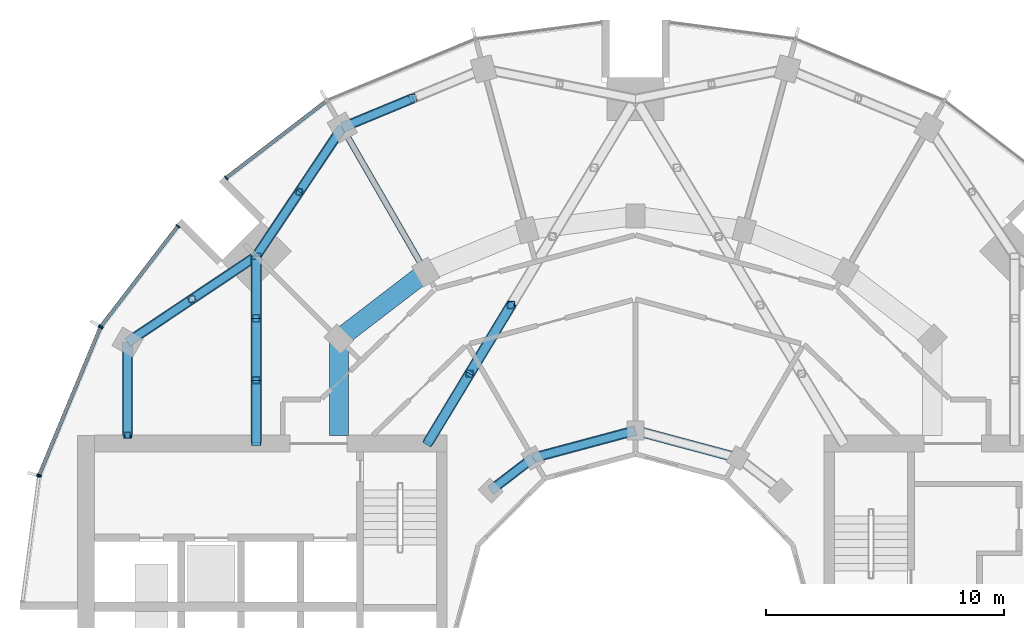
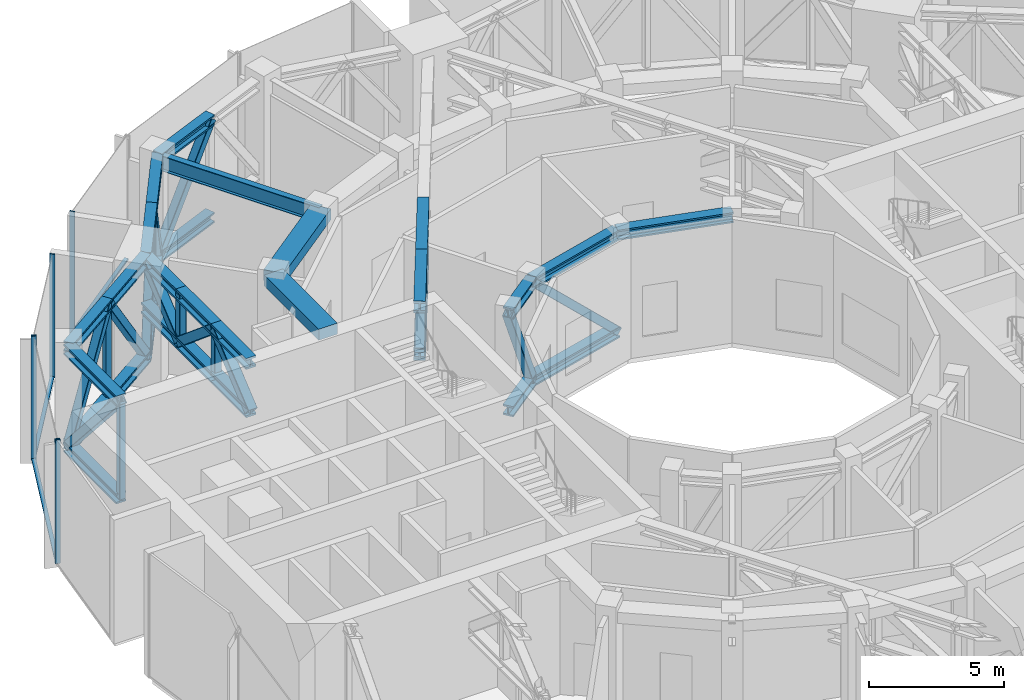
# One storey, part 7 of 18: 56 members, 3 beams, 4 elements without a shape of their own.
"""IFC4 building model written with IfcOpenShell, lengths in metres."""

import ifcopenshell
import ifcopenshell.guid

model = None  # the IFC model being written
_history = None  # IfcOwnerHistory: only IFC2X3 demands one
_inside = {}  # id of a spatial element -> (the spatial element, [elements in it])
_under = {}  # id of a project, library or spatial element -> (it, [spatial elements below it])
_declared = {}  # id of a project -> (the project, [libraries it declares])
_typed = {}  # id of a type object -> (the type object, [elements of that type])
_made_of = {}  # id of a material, layer set ... -> (it, [elements and type objects made of it])


def new_model(schema):
    """Start an empty IFC model of exactly this schema.

    Asked for "IFC4X3", IfcOpenShell would pick the latest addendum, in which some entities
    have other attributes; the version numbers below select the first issue.
    IFC2X3 requires an IfcOwnerHistory on every rooted entity: one is made here for all.
    """
    global model, _history
    if schema == "IFC4X3":
        model = ifcopenshell.file(schema_version=(4, 3, 0, 0))
    else:
        model = ifcopenshell.file(schema=schema)
    _inside.clear()
    _under.clear()
    _declared.clear()
    _typed.clear()
    _made_of.clear()
    _history = None
    if model.schema == "IFC2X3":
        org = make("IfcOrganization", Name="unknown")
        user = make(
            "IfcPersonAndOrganization",
            ThePerson=make("IfcPerson", FamilyName="unknown"),
            TheOrganization=org,
        )
        app = make(
            "IfcApplication",
            ApplicationDeveloper=org,
            Version="unknown",
            ApplicationFullName="unknown",
            ApplicationIdentifier="unknown",
        )
        _history = make(
            "IfcOwnerHistory",
            OwningUser=user,
            OwningApplication=app,
            ChangeAction="ADDED",
            CreationDate=0,
        )
    return model


def make(cls, **values):
    """One entity of the class cls with the attributes given. An attribute that is None is left unset."""
    return model.create_entity(
        cls, **{name: value for name, value in values.items() if value is not None}
    )


def rooted(cls, **values):
    """An entity with a GlobalId (a new one), such as an element, a storey or a relation."""
    return make(cls, GlobalId=ifcopenshell.guid.new(), OwnerHistory=_history, **values)


def si_unit(unit_type, name, prefix=None):
    """IfcSIUnit, for example si_unit("LENGTHUNIT", "METRE", prefix="MILLI")."""
    return make("IfcSIUnit", UnitType=unit_type, Prefix=prefix, Name=name)


def assignment(units):
    """IfcUnitAssignment: the units of a project."""
    return None if units is None else make("IfcUnitAssignment", Units=units)


def point(xyz):
    """IfcCartesianPoint."""
    return None if xyz is None else make("IfcCartesianPoint", Coordinates=xyz)


def direction(xyz):
    """IfcDirection."""
    return None if xyz is None else make("IfcDirection", DirectionRatios=xyz)


def frame(location, z_axis=None, x_axis=None):
    """IfcAxis2Placement3D, a coordinate frame: its origin and axes. An axis left out is left unset."""
    return make(
        "IfcAxis2Placement3D",
        Location=point(location),
        Axis=direction(z_axis),
        RefDirection=direction(x_axis),
    )


def frame_2d(location, x_axis=None):
    """IfcAxis2Placement2D, a coordinate frame in the plane: its origin and x axis."""
    return make(
        "IfcAxis2Placement2D", Location=point(location), RefDirection=direction(x_axis)
    )


def origin():
    """The frame at (0, 0, 0) with its axes left unset."""
    return frame((0.0, 0.0, 0.0))


def origin_2d():
    """The frame at (0, 0) in the plane with its x axis left unset."""
    return frame_2d((0.0, 0.0))


def place(relative_to, where):
    """IfcLocalPlacement: puts the frame where relative to a parent placement (None: the world)."""
    return make(
        "IfcLocalPlacement", PlacementRelTo=relative_to, RelativePlacement=where
    )


def context(
    kind, dimensions, precision=None, world=None, true_north=None, identifier=None
):
    """IfcGeometricRepresentationContext, for example the 3D "Model" context."""
    return make(
        "IfcGeometricRepresentationContext",
        ContextIdentifier=identifier,
        ContextType=kind,
        CoordinateSpaceDimension=dimensions,
        Precision=precision,
        WorldCoordinateSystem=world,
        TrueNorth=true_north,
    )


def subcontext(parent, identifier, kind, view, scale=None):
    """IfcGeometricRepresentationSubContext, for example "Body" below "Model"."""
    return make(
        "IfcGeometricRepresentationSubContext",
        ContextIdentifier=identifier,
        ContextType=kind,
        ParentContext=parent,
        TargetScale=scale,
        TargetView=view,
    )


def project(units=None, contexts=None):
    """IfcProject with its units and contexts."""
    return rooted(
        "IfcProject",
        Name="project",
        RepresentationContexts=contexts,
        UnitsInContext=assignment(units),
    )


def spatial(cls, under=None, at=None, **own):
    """A site, building, storey or space (cls), placed at a placement, below another one or the project."""
    s = rooted(cls, ObjectPlacement=at, **own)
    if under is not None:
        _under.setdefault(under.id(), (under, []))[1].append(s)
    return s


def profile(cls, at=None, kind="AREA", **sizes):
    """A parametric profile (cls). Its sizes go by their IFC names, for example OverallWidth=200.0."""
    return make(cls, ProfileType=kind, Position=at, **sizes)


def rectangle(**sizes):
    """IfcRectangleProfileDef."""
    return profile("IfcRectangleProfileDef", **sizes)


def hollow_rectangle(**sizes):
    """IfcRectangleHollowProfileDef."""
    return profile("IfcRectangleHollowProfileDef", **sizes)


def i_section(**sizes):
    """IfcIShapeProfileDef."""
    return profile("IfcIShapeProfileDef", **sizes)


def extrude(swept, where, along, depth):
    """IfcExtrudedAreaSolid: the profile swept, set in the frame where, extruded along a direction by depth."""
    return make(
        "IfcExtrudedAreaSolid",
        SweptArea=swept,
        Position=where,
        ExtrudedDirection=direction(along),
        Depth=depth,
    )


def shape(context_of_items, identifier, shape_type, items):
    """IfcShapeRepresentation: the items that make up one representation, for example the "Body"."""
    return make(
        "IfcShapeRepresentation",
        ContextOfItems=context_of_items,
        RepresentationIdentifier=identifier,
        RepresentationType=shape_type,
        Items=items,
    )


def material(Name=None, Category=None):
    """IfcMaterial."""
    return make("IfcMaterial", Name=Name, Category=Category)


def layer(
    of_material, thickness, ventilated=None, Name=None, Category=None, Priority=None
):
    """IfcMaterialLayer: one layer of a wall or slab, of a material (None: an air gap)."""
    return make(
        "IfcMaterialLayer",
        Material=of_material,
        LayerThickness=thickness,
        IsVentilated=ventilated,
        Name=Name,
        Category=Category,
        Priority=Priority,
    )


def layer_set(layers, Name=None):
    """IfcMaterialLayerSet."""
    return make("IfcMaterialLayerSet", MaterialLayers=layers, LayerSetName=Name)


def material_profile(
    of_material, cross_section, Name=None, Category=None, Priority=None
):
    """IfcMaterialProfile: a cross section and its material."""
    return make(
        "IfcMaterialProfile",
        Name=Name,
        Material=of_material,
        Profile=cross_section,
        Priority=Priority,
        Category=Category,
    )


def profile_set(profiles, Name=None, composite=None):
    """IfcMaterialProfileSet."""
    return make(
        "IfcMaterialProfileSet",
        Name=Name,
        MaterialProfiles=profiles,
        CompositeProfile=composite,
    )


def made_of(thing, what):
    """Note that an element or type object is made of a material, layer set ...; save() writes the relation."""
    if what is not None:
        _made_of.setdefault(what.id(), (what, []))[1].append(thing)
    return thing


def type_object(cls, material=None, **own):
    """A type object (cls), such as IfcWallType, which elements share."""
    return made_of(rooted(cls, **own), material)


def element(
    cls,
    number,
    at=None,
    inside=None,
    cuts=None,
    type_object=None,
    material=None,
    context=None,
    identifier="Body",
    shape_type=None,
    held_by="IfcProductDefinitionShape",
    body=None,
    shapes=None,
    **own,
):
    """One element of the class cls, such as IfcWall. Its Tag is "e" and its number.

    at: its placement. inside: the storey or other place that contains it. cuts: it is an
    opening in that element (IfcRelVoidsElement). A single representation is given by context,
    identifier, shape_type and body (its items); several are given by shapes. held_by: the class
    of the entity that holds the representations. save() writes the other relations.
    """
    e = rooted(cls, Tag="e%d" % number, ObjectPlacement=at, **own)
    if body is not None:
        shapes = [shape(context, identifier, shape_type, body)]
    if shapes is not None:
        e.Representation = make(held_by, Representations=shapes)
    if inside is not None:
        _inside.setdefault(inside.id(), (inside, []))[1].append(e)
    if cuts is not None:
        rooted(
            "IfcRelVoidsElement", RelatingBuildingElement=cuts, RelatedOpeningElement=e
        )
    if type_object is not None:
        _typed.setdefault(type_object.id(), (type_object, []))[1].append(e)
    return made_of(e, material)


def aggregate(whole, parts):
    """IfcRelAggregates: a whole, such as a stair, and the parts it consists of."""
    return rooted("IfcRelAggregates", RelatingObject=whole, RelatedObjects=parts)


def save(model, path):
    """Write the relations noted so far, then the file.

    IfcRelAggregates (storeys below a building ...), IfcRelContainedInSpatialStructure (elements
    in a storey), IfcRelDefinesByType, IfcRelAssociatesMaterial and IfcRelDeclares: one each for
    every whole, place, type object, material and project.
    """
    for whole, parts in _under.values():
        aggregate(whole, parts)
    for where, things in _inside.values():
        rooted(
            "IfcRelContainedInSpatialStructure",
            RelatedElements=things,
            RelatingStructure=where,
        )
    for kind, things in _typed.values():
        rooted("IfcRelDefinesByType", RelatedObjects=things, RelatingType=kind)
    for what, things in _made_of.values():
        rooted("IfcRelAssociatesMaterial", RelatedObjects=things, RelatingMaterial=what)
    for by, libraries in _declared.values():
        rooted("IfcRelDeclares", RelatingContext=by, RelatedDefinitions=libraries)
    model.write(path)


model = new_model("IFC4")

# Units and contexts
model_context = context("Model", 3, precision=1e-05, world=origin(), true_north=direction((0.0, 1.0)))
body_context = subcontext(model_context, "Body", "Model", "MODEL_VIEW")
ifc_project = project(units=[si_unit("LENGTHUNIT", "METRE"), si_unit("AREAUNIT", "SQUARE_METRE"), si_unit("VOLUMEUNIT", "CUBIC_METRE"), si_unit("PLANEANGLEUNIT", "RADIAN"), si_unit("MASSUNIT", "GRAM", prefix="KILO")], contexts=[model_context])

# Site, building, storey
site_placement = place(None, origin())
site = spatial("IfcSite", under=ifc_project, at=site_placement, CompositionType="ELEMENT")
building_placement = place(site_placement, origin())
building = spatial("IfcBuilding", under=site, at=building_placement, Name="Torre Brocal", CompositionType="ELEMENT")
storey_placement = place(building_placement, frame((0.0, 0.0, 109.0)))
storey = spatial("IfcBuildingStorey", under=building, at=storey_placement, Name="L25", CompositionType="ELEMENT", Elevation=109.0)

# Members
ifc_material_1 = material(Name="Steel A500 Grade C", Category="steel")
ifc_material_profile_1 = material_profile(ifc_material_1, hollow_rectangle(XDim=0.25390625, YDim=0.25390625, WallThickness=0.01171875, InnerFilletRadius=0.01171875, OuterFilletRadius=0.023681640625, at=origin_2d()), Name="HSS10X10X1/2")
ifc_profile_set_1 = profile_set([ifc_material_profile_1], Name="Steel A500 Grade C")
member_type_1 = type_object("IfcMemberType", Name="BELT 1 POST HSS10X10X1/2", PredefinedType="POST", material=ifc_profile_set_1)
for number, where, z_axis, x_axis, name in (
    (1, (65.89501953125, 93.607177734375, 0.63232421875), (0.0, 0.0, 1.0), (1.0, 0.0, 0.0), "Member BT1-P07"),
    (2, (61.392822265625, 89.10498046875, 0.63232421875), (0.0, 0.0, 1.0), (1.0, 0.0, 0.0), "Member BT1-P08"),
    (3, (58.69580078125, 83.39990234375, 0.63232421875), (0.0, 0.0, 1.0), (1.0, 0.0, 0.0), "Member BT1-P09"),
):
    element("IfcMember", number, at=place(storey_placement, frame(where, z_axis=z_axis, x_axis=x_axis)), inside=storey, type_object=member_type_1, Name=name, PredefinedType="POST", context=body_context, shape_type="SweptSolid", body=[
        extrude(hollow_rectangle(XDim=0.25390625, YDim=0.25390625, WallThickness=0.01171875, InnerFilletRadius=0.01171875, OuterFilletRadius=0.023681640625, at=origin_2d()), origin(), (0.0, 0.0, 1.0), 4.415283203125),
    ])

# Curtain wall, member
ifc_material_2 = material(Name="Aluminium and glass", Category="aluminium")
ifc_layer_1 = layer(ifc_material_2, 0.199951171875)
ifc_layer_set_1 = layer_set([ifc_layer_1], Name="Aluminium and glass")
curtain_wall_type_1 = type_object("IfcCurtainWallType", Name="CW-1 CURTAIN WALL 5600 HIGH", PredefinedType="NOTDEFINED", material=ifc_layer_set_1)
curtain_wall_1_placement = place(storey_placement, origin())
curtain_wall_1 = element("IfcCurtainWall", 4, at=curtain_wall_1_placement, inside=storey, type_object=curtain_wall_type_1, Name="CW-1 RUN 9", PredefinedType="NOTDEFINED")
ifc_material_3 = material(Name="Aluminium, dark anodised", Category="aluminium")
ifc_material_profile_2 = material_profile(ifc_material_3, rectangle(XDim=0.199951171875, YDim=0.06005859375, at=origin_2d()), Name="CW-1 MULLION 60X200")
ifc_profile_set_2 = profile_set([ifc_material_profile_2], Name="Aluminium, dark anodised")
member_type_2 = type_object("IfcMemberType", Name="CW-1 MULLION 60X200", PredefinedType="MULLION", material=ifc_profile_set_2)
member_1_placement = place(storey_placement, frame((62.83056640625, 94.19140625, 0.0), z_axis=(0.0, 0.0, 1.0), x_axis=(0.60876142905, -0.793353340259, 0.0)))
member_1 = element("IfcMember", 5, at=member_1_placement, type_object=member_type_2, Name="CW1-2 mullion 2", PredefinedType="MULLION", context=body_context, shape_type="SweptSolid", body=[
    extrude(rectangle(XDim=0.199951171875, YDim=0.06005859375, at=origin_2d()), origin(), (0.0, 0.0, 1.0), 5.60009765625),
])

# Curtain wall, members
curtain_wall_2_placement = place(storey_placement, origin())
curtain_wall_2 = element("IfcCurtainWall", 6, at=curtain_wall_2_placement, inside=storey, type_object=curtain_wall_type_1, Name="CW-1 RUN 10", PredefinedType="NOTDEFINED")
member_2_placement = place(storey_placement, frame((60.80859375, 92.16943359375, 0.0), z_axis=(0.0, 0.0, 1.0), x_axis=(0.793353340259, -0.60876142905, 0.0)))
member_2 = element("IfcMember", 7, at=member_2_placement, type_object=member_type_2, Name="CW1-2 mullion 1", PredefinedType="MULLION", context=body_context, shape_type="SweptSolid", body=[
    extrude(rectangle(XDim=0.199951171875, YDim=0.06005859375, at=origin_2d()), origin(), (0.0, 0.0, 1.0), 5.60009765625),
])
member_3_placement = place(storey_placement, frame((57.5888671875, 87.973388671875, 0.0), z_axis=(0.0, 0.0, 1.0), x_axis=(0.793353340259, -0.60876142905, 0.0)))
member_3 = element("IfcMember", 8, at=member_3_placement, type_object=member_type_2, Name="CW1-2 mullion 2", PredefinedType="MULLION", context=body_context, shape_type="SweptSolid", body=[
    extrude(rectangle(XDim=0.199951171875, YDim=0.06005859375, at=origin_2d()), origin(), (0.0, 0.0, 1.0), 5.60009765625),
])

curtain_wall_3_placement = place(storey_placement, origin())
curtain_wall_3 = element("IfcCurtainWall", 9, at=curtain_wall_3_placement, inside=storey, type_object=curtain_wall_type_1, Name="CW-1 RUN 11", PredefinedType="NOTDEFINED")
member_4_placement = place(storey_placement, frame((57.559326171875, 87.921875, 0.0), z_axis=(0.0, 0.0, 1.0), x_axis=(0.923879532525, -0.382683432333, 0.0)))
member_4 = element("IfcMember", 10, at=member_4_placement, type_object=member_type_2, Name="CW1-2 mullion 1", PredefinedType="MULLION", context=body_context, shape_type="SweptSolid", body=[
    extrude(rectangle(XDim=0.199951171875, YDim=0.06005859375, at=origin_2d()), origin(), (0.0, 0.0, 1.0), 5.60009765625),
])
member_5_placement = place(storey_placement, frame((54.994873046875, 81.73095703125, 0.0), z_axis=(0.0, 0.0, 1.0), x_axis=(0.923879532525, -0.382683432333, 0.0)))
member_5 = element("IfcMember", 11, at=member_5_placement, type_object=member_type_2, Name="CW1-2 mullion 2", PredefinedType="MULLION", context=body_context, shape_type="SweptSolid", body=[
    extrude(rectangle(XDim=0.199951171875, YDim=0.06005859375, at=origin_2d()), origin(), (0.0, 0.0, 1.0), 5.60009765625),
])

# Member
ifc_material_4 = material(Name="Aluminium, dark anodised", Category="aluminium")
ifc_material_profile_3 = material_profile(ifc_material_4, rectangle(XDim=0.159912109375, YDim=0.080078125, at=origin_2d()), Name="CW-1 TRANSOM 160X80")
ifc_profile_set_3 = profile_set([ifc_material_profile_3], Name="Aluminium, dark anodised")
member_type_3 = type_object("IfcMemberType", Name="CW-1 TRANSOM 160X80", PredefinedType="USERDEFINED", material=ifc_profile_set_3)
member_6_placement = place(storey_placement, frame((67.0029296875, 97.392822265625, 0.0400390625), z_axis=(-0.79336281513, -0.60874908096, 0.0), x_axis=(0.60874908096, -0.79336281513, 0.0)))
member_6 = element("IfcMember", 12, at=member_6_placement, type_object=member_type_3, Name="CW1-2 transom 1.1", ObjectType="TRANSOM", PredefinedType="USERDEFINED", context=body_context, shape_type="SweptSolid", body=[
    extrude(rectangle(XDim=0.159912109375, YDim=0.080078125, at=origin_2d()), origin(), (0.0, 0.0, 1.0), 5.22900390625),
])

aggregate(curtain_wall_1, [member_1, member_6])

member_7_placement = place(storey_placement, frame((60.790283203125, 92.1455078125, 0.0400390625), z_axis=(-0.60874908096, -0.79336281513, 0.0), x_axis=(0.79336281513, -0.60874908096, 0.0)))
member_7 = element("IfcMember", 13, at=member_7_placement, type_object=member_type_3, Name="CW1-2 transom 1.1", ObjectType="TRANSOM", PredefinedType="USERDEFINED", context=body_context, shape_type="SweptSolid", body=[
    extrude(rectangle(XDim=0.159912109375, YDim=0.080078125, at=origin_2d()), origin(), (0.0, 0.0, 1.0), 5.22900390625),
])

aggregate(curtain_wall_2, [member_2, member_3, member_7])

member_8_placement = place(storey_placement, frame((57.547607421875, 87.89404296875, 0.0400390625), z_axis=(-0.38266457234, -0.923887344364, 0.0), x_axis=(0.923887344364, -0.38266457234, 0.0)))
member_8 = element("IfcMember", 14, at=member_8_placement, type_object=member_type_3, Name="CW1-2 transom 1.1", ObjectType="TRANSOM", PredefinedType="USERDEFINED", context=body_context, shape_type="SweptSolid", body=[
    extrude(rectangle(XDim=0.159912109375, YDim=0.080078125, at=origin_2d()), origin(), (0.0, 0.0, 1.0), 6.640869140625),
])

aggregate(curtain_wall_3, [member_4, member_5, member_8])

# Curtain wall, member
ifc_material_5 = material(Name="Aluminium and glass", Category="aluminium")
ifc_layer_2 = layer(ifc_material_5, 0.199951171875)
ifc_layer_set_2 = layer_set([ifc_layer_2], Name="Aluminium and glass")
curtain_wall_type_2 = type_object("IfcCurtainWallType", Name="CW-1B CURTAIN WALL 5600 HIGH", PredefinedType="NOTDEFINED", material=ifc_layer_set_2)
curtain_wall_4_placement = place(storey_placement, origin())
curtain_wall_4 = element("IfcCurtainWall", 15, at=curtain_wall_4_placement, inside=storey, type_object=curtain_wall_type_2, Name="CW-1B RUN 12", PredefinedType="NOTDEFINED")
ifc_material_6 = material(Name="Aluminium, dark anodised", Category="aluminium")
ifc_material_profile_4 = material_profile(ifc_material_6, rectangle(XDim=0.199951171875, YDim=0.06005859375, at=origin_2d()), Name="CW-1B MULLION 60X200")
ifc_profile_set_4 = profile_set([ifc_material_profile_4], Name="Aluminium, dark anodised")
member_type_4 = type_object("IfcMemberType", Name="CW-1B MULLION 60X200", PredefinedType="MULLION", material=ifc_profile_set_4)
member_9_placement = place(storey_placement, frame((54.9794921875, 81.67333984375, 0.0), z_axis=(0.0, 0.0, 1.0), x_axis=(0.991444861374, -0.13052619222, 0.0)))
member_9 = element("IfcMember", 16, at=member_9_placement, type_object=member_type_4, Name="CW1B-2 mullion 1", PredefinedType="MULLION", context=body_context, shape_type="SweptSolid", body=[
    extrude(rectangle(XDim=0.199951171875, YDim=0.06005859375, at=origin_2d()), origin(), (0.0, 0.0, 1.0), 5.60009765625),
])
aggregate(curtain_wall_4, [member_9])

# Members
ifc_material_7 = material(Name="Steel A500 Grade C", Category="steel")
ifc_material_profile_5 = material_profile(ifc_material_7, hollow_rectangle(XDim=0.3046875, YDim=0.3046875, WallThickness=0.014892578125, InnerFilletRadius=0.014892578125, OuterFilletRadius=0.029541015625, at=origin_2d()), Name="HSS12X12X5/8")
ifc_profile_set_5 = profile_set([ifc_material_profile_5], Name="Steel A500 Grade C")
member_type_5 = type_object("IfcMemberType", Name="OUTRIGGER 1 POST HSS12X12X5/8", PredefinedType="POST", material=ifc_profile_set_5)
for number, where, z_axis, x_axis, name in (
    (17, (73.0400390625, 85.97998046875, 2.865478515625), (0.0, 0.0, 1.0), (1.0, 0.0, 0.0), "Member OT1-P07"),
    (18, (74.780029296875, 88.860107421875, 2.865478515625), (0.0, 0.0, 1.0), (1.0, 0.0, 0.0), "Member OT1-P08"),
):
    element("IfcMember", number, at=place(storey_placement, frame(where, z_axis=z_axis, x_axis=x_axis)), inside=storey, type_object=member_type_5, Name=name, PredefinedType="POST", context=body_context, shape_type="SweptSolid", body=[
        extrude(hollow_rectangle(XDim=0.3046875, YDim=0.3046875, WallThickness=0.014892578125, InnerFilletRadius=0.014892578125, OuterFilletRadius=0.029541015625, at=origin_2d()), origin(), (0.0, 0.0, 1.0), 2.149169921875),
    ])
for number, where, z_axis, x_axis, name in (
    (19, (64.090087890625, 85.703369140625, 2.848876953125), (0.0, 0.0, 1.0), (1.0, 0.0, 0.0), "Member OT1-P11"),
    (20, (64.090087890625, 88.306640625, 2.848876953125), (0.0, 0.0, 1.0), (1.0, 0.0, 0.0), "Member OT1-P12"),
):
    element("IfcMember", number, at=place(storey_placement, frame(where, z_axis=z_axis, x_axis=x_axis)), inside=storey, type_object=member_type_5, Name=name, PredefinedType="POST", context=body_context, shape_type="SweptSolid", body=[
        extrude(hollow_rectangle(XDim=0.3046875, YDim=0.3046875, WallThickness=0.014892578125, InnerFilletRadius=0.014892578125, OuterFilletRadius=0.029541015625, at=origin_2d()), origin(), (0.0, 0.0, 1.0), 2.18212890625),
    ])

# Beams
ifc_material_8 = material(Name="Steel A992", Category="steel")
ifc_material_profile_6 = material_profile(ifc_material_8, i_section(OverallWidth=0.256591796875, OverallDepth=0.693359375, WebThickness=0.014404296875, FlangeThickness=0.023681640625, at=origin_2d()), Name="W27X114")
ifc_profile_set_6 = profile_set([ifc_material_profile_6], Name="Steel A992")
beam_type_1 = type_object("IfcBeamType", Name="PLANT FLOOR BEAM TOP 5280 W27X114", PredefinedType="BEAM", material=ifc_profile_set_6)
beam_1_placement = place(storey_placement, frame((71.199951171875, 90.241943359375, 4.933349609375), z_axis=(-0.499995173006, 0.866028190633, 0.0), x_axis=(-0.866028190633, -0.499995173006, 0.0)))
element("IfcBeam", 21, at=beam_1_placement, inside=storey, type_object=beam_type_1, Name="Beam SF-01", PredefinedType="BEAM", context=body_context, shape_type="SweptSolid", body=[
    extrude(i_section(OverallWidth=0.256591796875, OverallDepth=0.693359375, WebThickness=0.014404296875, FlangeThickness=0.023681640625, at=origin_2d()), origin(), (0.0, 0.0, 1.0), 7.0),
])
ifc_material_9 = material(Name="Concrete C50", Category="concrete")
ifc_material_profile_7 = material_profile(ifc_material_9, rectangle(XDim=0.800048828125, YDim=0.5, at=origin_2d()), Name="RC 800X500")
ifc_profile_set_7 = profile_set([ifc_material_profile_7], Name="Concrete C50")
beam_type_2 = type_object("IfcBeamType", Name="RC BEAM 800X500 C50 TOP 5280", PredefinedType="BEAM", material=ifc_profile_set_7)
beam_2_placement = place(storey_placement, frame((71.199951171875, 90.241943359375, 5.030029296875), z_axis=(-0.793358265959, -0.6087550097, 0.0), x_axis=(0.6087550097, -0.793358265959, 0.0)))
element("IfcBeam", 22, at=beam_2_placement, inside=storey, type_object=beam_type_2, Name="Beam BT-27", PredefinedType="BEAM", context=body_context, shape_type="SweptSolid", body=[
    extrude(rectangle(XDim=0.800048828125, YDim=0.5, at=origin_2d()), origin(), (0.0, 0.0, 1.0), 4.594482421875),
])
beam_3_placement = place(storey_placement, frame((67.554931640625, 87.445068359375, 5.030029296875), z_axis=(0.0, -1.0, 0.0), x_axis=(1.0, 0.0, 0.0)))
element("IfcBeam", 23, at=beam_3_placement, inside=storey, type_object=beam_type_2, Name="Beam BT-27", PredefinedType="BEAM", context=body_context, shape_type="SweptSolid", body=[
    extrude(rectangle(XDim=0.800048828125, YDim=0.5, at=origin_2d()), origin(), (0.0, 0.0, 1.0), 4.045166015625),
])

# Members
ifc_material_10 = material(Name="Steel A992", Category="steel")
ifc_material_profile_8 = material_profile(ifc_material_10, i_section(OverallWidth=0.421630859375, OverallDepth=0.46484375, WebThickness=0.044921875, FlangeThickness=0.072509765625, at=origin_2d()), Name="W14X398")
ifc_profile_set_8 = profile_set([ifc_material_profile_8], Name="Steel A992")
member_type_6 = type_object("IfcMemberType", Name="TRUSS BOTTOM CHORD W14X398", PredefinedType="CHORD", material=ifc_profile_set_8)
member_10_placement = place(storey_placement, frame((70.66650390625, 97.532958984375, 0.63232421875), z_axis=(-0.923882462513, -0.382676358639, 0.0), x_axis=(0.382676358639, -0.923882462513, 0.0)))
element("IfcMember", 24, at=member_10_placement, inside=storey, type_object=member_type_6, Name="Member BT1-C24", PredefinedType="CHORD", context=body_context, shape_type="SweptSolid", body=[
    extrude(i_section(OverallWidth=0.421630859375, OverallDepth=0.46484375, WebThickness=0.044921875, FlangeThickness=0.072509765625, at=origin_2d()), origin(), (0.0, 0.0, 1.0), 3.2109375),
])
for number, where, z_axis, x_axis, name in (
    (25, (67.699951171875, 96.30419921875, 0.63232421875), (-0.556174988166, -0.831065209559, 0.0), (0.831065209559, -0.556174988166, 0.0), "Member BT1-C26"),
    (26, (65.89501953125, 93.607177734375, 0.63232421875), (-0.556140217242, -0.831088478302, 0.0), (0.831088478302, -0.556140217242, 0.0), "Member BT1-C28"),
    (27, (64.090087890625, 90.909912109375, 0.63232421875), (-0.831088478302, -0.556140217242, 0.0), (0.556140217242, -0.831088478302, 0.0), "Member BT1-C30"),
    (28, (61.392822265625, 89.10498046875, 0.63232421875), (-0.831065209559, -0.556174988166, 0.0), (0.556174988166, -0.831065209559, 0.0), "Member BT1-C32"),
):
    element("IfcMember", number, at=place(storey_placement, frame(where, z_axis=z_axis, x_axis=x_axis)), inside=storey, type_object=member_type_6, Name=name, PredefinedType="CHORD", context=body_context, shape_type="SweptSolid", body=[
        extrude(i_section(OverallWidth=0.421630859375, OverallDepth=0.46484375, WebThickness=0.044921875, FlangeThickness=0.072509765625, at=origin_2d()), origin(), (0.0, 0.0, 1.0), 3.245361328125),
    ])
member_11_placement = place(storey_placement, frame((58.69580078125, 87.300048828125, 0.63232421875), z_axis=(0.0, -1.0, 0.0), x_axis=(1.0, 0.0, 0.0)))
element("IfcMember", 29, at=member_11_placement, inside=storey, type_object=member_type_6, Name="Member BT1-C34", PredefinedType="CHORD", context=body_context, shape_type="SweptSolid", body=[
    extrude(i_section(OverallWidth=0.421630859375, OverallDepth=0.46484375, WebThickness=0.044921875, FlangeThickness=0.072509765625, at=origin_2d()), origin(), (0.0, 0.0, 1.0), 3.900146484375),
])
member_12_placement = place(storey_placement, frame((80.0, 83.60009765625, 0.63232421875), z_axis=(-0.965917450527, -0.25885030185, 0.0), x_axis=(0.25885030185, -0.965917450527, 0.0)))
element("IfcMember", 30, at=member_12_placement, inside=storey, type_object=member_type_6, Name="Member BT1-C78", PredefinedType="CHORD", context=body_context, shape_type="SweptSolid", body=[
    extrude(i_section(OverallWidth=0.421630859375, OverallDepth=0.46484375, WebThickness=0.044921875, FlangeThickness=0.072509765625, at=origin_2d()), origin(), (0.0, 0.0, 1.0), 4.45166015625),
])
member_13_placement = place(storey_placement, frame((75.699951171875, 82.44775390625, 0.63232421875), z_axis=(-0.793334976885, -0.608785359918, 0.0), x_axis=(0.608785359918, -0.793334976885, 0.0)))
element("IfcMember", 31, at=member_13_placement, inside=storey, type_object=member_type_6, Name="Member BT1-C80", PredefinedType="CHORD", context=body_context, shape_type="SweptSolid", body=[
    extrude(i_section(OverallWidth=0.421630859375, OverallDepth=0.46484375, WebThickness=0.044921875, FlangeThickness=0.072509765625, at=origin_2d()), origin(), (0.0, 0.0, 1.0), 2.244873046875),
])
ifc_material_11 = material(Name="Steel A992", Category="steel")
ifc_material_profile_9 = material_profile(ifc_material_11, i_section(OverallWidth=0.431884765625, OverallDepth=0.497802734375, WebThickness=0.0556640625, FlangeThickness=0.0888671875, at=origin_2d()), Name="W14X500")
ifc_profile_set_9 = profile_set([ifc_material_profile_9], Name="Steel A992")
member_type_7 = type_object("IfcMemberType", Name="TRUSS BOTTOM CHORD W14X500", PredefinedType="CHORD", material=ifc_profile_set_9)
for number, where, z_axis, x_axis, name in (
    (32, (64.090087890625, 83.10009765625, 2.848876953125), (0.0, 1.0, 0.0), (-1.0, 0.0, 0.0), "Member OT1-C28"),
    (33, (64.090087890625, 85.703369140625, 2.848876953125), (0.0, 1.0, 0.0), (-1.0, 0.0, 0.0), "Member OT1-C30"),
    (34, (64.090087890625, 88.306640625, 2.848876953125), (0.0, 1.0, 0.0), (-1.0, 0.0, 0.0), "Member OT1-C32"),
):
    element("IfcMember", number, at=place(storey_placement, frame(where, z_axis=z_axis, x_axis=x_axis)), inside=storey, type_object=member_type_7, Name=name, PredefinedType="CHORD", context=body_context, shape_type="SweptSolid", body=[
        extrude(i_section(OverallWidth=0.431884765625, OverallDepth=0.497802734375, WebThickness=0.0556640625, FlangeThickness=0.0888671875, at=origin_2d()), origin(), (0.0, 0.0, 1.0), 2.603271484375),
    ])
ifc_material_12 = material(Name="Steel A992", Category="steel")
ifc_material_profile_10 = material_profile(ifc_material_12, i_section(OverallWidth=0.44189453125, OverallDepth=0.531005859375, WebThickness=0.06591796875, FlangeThickness=0.105712890625, at=origin_2d()), Name="W14X605")
ifc_profile_set_10 = profile_set([ifc_material_profile_10], Name="Steel A992")
member_type_8 = type_object("IfcMemberType", Name="TRUSS BOTTOM CHORD W14X605", PredefinedType="CHORD", material=ifc_profile_set_10)
member_14_placement = place(storey_placement, frame((71.300048828125, 83.10009765625, 2.865478515625), z_axis=(0.517128928912, 0.855907513042, 0.0), x_axis=(-0.855907513042, 0.517128928912, 0.0)))
element("IfcMember", 35, at=member_14_placement, inside=storey, type_object=member_type_8, Name="Member OT1-C18", PredefinedType="CHORD", context=body_context, shape_type="SweptSolid", body=[
    extrude(i_section(OverallWidth=0.44189453125, OverallDepth=0.531005859375, WebThickness=0.06591796875, FlangeThickness=0.105712890625, at=origin_2d()), origin(), (0.0, 0.0, 1.0), 3.36474609375),
])
member_15_placement = place(storey_placement, frame((73.0400390625, 85.97998046875, 2.865478515625), z_axis=(0.517096814817, 0.855926915167, 0.0), x_axis=(-0.855926915167, 0.517096814817, 0.0)))
element("IfcMember", 36, at=member_15_placement, inside=storey, type_object=member_type_8, Name="Member OT1-C20", PredefinedType="CHORD", context=body_context, shape_type="SweptSolid", body=[
    extrude(i_section(OverallWidth=0.44189453125, OverallDepth=0.531005859375, WebThickness=0.06591796875, FlangeThickness=0.105712890625, at=origin_2d()), origin(), (0.0, 0.0, 1.0), 3.364990234375),
])
ifc_material_13 = material(Name="Steel A500 Grade C", Category="steel")
ifc_material_profile_11 = material_profile(ifc_material_13, hollow_rectangle(XDim=0.355712890625, YDim=0.355712890625, WallThickness=0.014892578125, InnerFilletRadius=0.014892578125, OuterFilletRadius=0.029541015625, at=origin_2d()), Name="HSS14X14X5/8")
ifc_profile_set_11 = profile_set([ifc_material_profile_11], Name="Steel A500 Grade C")
member_type_9 = type_object("IfcMemberType", Name="TRUSS DIAGONAL HSS14X14X5/8", PredefinedType="BRACE", material=ifc_profile_set_11)
member_16_placement = place(storey_placement, frame((70.66650390625, 97.532958984375, 5.047607421875), z_axis=(-0.543384725643, -0.225072448701, -0.80874930156), x_axis=(0.382676358639, -0.923882462513, 0.0)))
element("IfcMember", 37, at=member_16_placement, inside=storey, type_object=member_type_9, Name="Member BT1-D12", PredefinedType="BRACE", context=body_context, shape_type="SweptSolid", body=[
    extrude(hollow_rectangle(XDim=0.355712890625, YDim=0.355712890625, WallThickness=0.014892578125, InnerFilletRadius=0.014892578125, OuterFilletRadius=0.029541015625, at=origin_2d()), origin(), (0.0, 0.0, 1.0), 5.45947265625),
])
for number, where, z_axis, x_axis, name in (
    (38, (67.699951171875, 96.30419921875, 0.63232421875), (-0.329388867078, -0.492189749034, 0.805761891126), (0.831065209559, -0.556174988166, 0.0), "Member BT1-D13"),
    (39, (65.89501953125, 93.607177734375, 5.047607421875), (-0.329381643787, -0.492223508801, -0.805744221276), (0.831088478302, -0.556140217242, 0.0), "Member BT1-D14"),
    (40, (64.090087890625, 90.909912109375, 0.63232421875), (-0.492223508801, -0.329381643787, 0.805744221276), (0.556140217242, -0.831088478302, 0.0), "Member BT1-D15"),
    (41, (61.392822265625, 89.10498046875, 5.047607421875), (-0.492189749034, -0.329388867078, -0.805761891126), (0.556174988166, -0.831065209559, 0.0), "Member BT1-D16"),
):
    element("IfcMember", number, at=place(storey_placement, frame(where, z_axis=z_axis, x_axis=x_axis)), inside=storey, type_object=member_type_9, Name=name, PredefinedType="BRACE", context=body_context, shape_type="SweptSolid", body=[
        extrude(hollow_rectangle(XDim=0.355712890625, YDim=0.355712890625, WallThickness=0.014892578125, InnerFilletRadius=0.014892578125, OuterFilletRadius=0.029541015625, at=origin_2d()), origin(), (0.0, 0.0, 1.0), 5.479736328125),
    ])
member_17_placement = place(storey_placement, frame((58.69580078125, 87.300048828125, 0.63232421875), z_axis=(0.0, -0.662032730549, 0.749474925319), x_axis=(1.0, 0.0, 0.0)))
element("IfcMember", 42, at=member_17_placement, inside=storey, type_object=member_type_9, Name="Member BT1-D17", PredefinedType="BRACE", context=body_context, shape_type="SweptSolid", body=[
    extrude(hollow_rectangle(XDim=0.355712890625, YDim=0.355712890625, WallThickness=0.014892578125, InnerFilletRadius=0.014892578125, OuterFilletRadius=0.029541015625, at=origin_2d()), origin(), (0.0, 0.0, 1.0), 5.89111328125),
])
member_18_placement = place(storey_placement, frame((80.0, 83.60009765625, 0.63232421875), z_axis=(-0.685811973326, -0.183786550508, 0.704190628377), x_axis=(0.25885030185, -0.965917450527, 0.0)))
element("IfcMember", 43, at=member_18_placement, inside=storey, type_object=member_type_9, Name="Member BT1-D39", PredefinedType="BRACE", context=body_context, shape_type="SweptSolid", body=[
    extrude(hollow_rectangle(XDim=0.355712890625, YDim=0.355712890625, WallThickness=0.014892578125, InnerFilletRadius=0.014892578125, OuterFilletRadius=0.029541015625, at=origin_2d()), origin(), (0.0, 0.0, 1.0), 6.27001953125),
])
member_19_placement = place(storey_placement, frame((75.699951171875, 82.44775390625, 0.63232421875), z_axis=(-0.359563901376, -0.275920318012, 0.891393167427), x_axis=(0.608785359918, -0.793334976885, 0.0)))
element("IfcMember", 44, at=member_19_placement, inside=storey, type_object=member_type_9, Name="Member BT1-D40", PredefinedType="BRACE", context=body_context, shape_type="SweptSolid", body=[
    extrude(hollow_rectangle(XDim=0.355712890625, YDim=0.355712890625, WallThickness=0.014892578125, InnerFilletRadius=0.014892578125, OuterFilletRadius=0.029541015625, at=origin_2d()), origin(), (0.0, 0.0, 1.0), 4.953125),
])
ifc_material_14 = material(Name="Steel A500 Grade C", Category="steel")
ifc_material_profile_12 = material_profile(ifc_material_14, hollow_rectangle(XDim=0.406494140625, YDim=0.406494140625, WallThickness=0.017578125, InnerFilletRadius=0.017578125, OuterFilletRadius=0.035400390625, at=origin_2d()), Name="HSS16X16X3/4")
ifc_profile_set_12 = profile_set([ifc_material_profile_12], Name="Steel A500 Grade C")
member_type_10 = type_object("IfcMemberType", Name="TRUSS DIAGONAL HSS16X16X3/4", PredefinedType="BRACE", material=ifc_profile_set_12)
member_20_placement = place(storey_placement, frame((71.300048828125, 83.10009765625, 2.865478515625), z_axis=(0.435812440092, 0.72131942519, 0.538298991179), x_axis=(-0.855907513042, 0.517128928912, 0.0)))
element("IfcMember", 45, at=member_20_placement, inside=storey, type_object=member_type_10, Name="Member OT1-D09", PredefinedType="BRACE", context=body_context, shape_type="SweptSolid", body=[
    extrude(hollow_rectangle(XDim=0.406494140625, YDim=0.406494140625, WallThickness=0.017578125, InnerFilletRadius=0.017578125, OuterFilletRadius=0.035400390625, at=origin_2d()), origin(), (0.0, 0.0, 1.0), 3.992431640625),
])
member_21_placement = place(storey_placement, frame((73.0400390625, 85.97998046875, 5.0146484375), z_axis=(0.435793217596, 0.721348756557, -0.538275248281), x_axis=(-0.855926915167, 0.517096814817, 0.0)))
element("IfcMember", 46, at=member_21_placement, inside=storey, type_object=member_type_10, Name="Member OT1-D10", PredefinedType="BRACE", context=body_context, shape_type="SweptSolid", body=[
    extrude(hollow_rectangle(XDim=0.406494140625, YDim=0.406494140625, WallThickness=0.017578125, InnerFilletRadius=0.017578125, OuterFilletRadius=0.035400390625, at=origin_2d()), origin(), (0.0, 0.0, 1.0), 3.99267578125),
])
for number, where, z_axis, x_axis, name in (
    (47, (64.090087890625, 83.10009765625, 2.848876953125), (0.0, 0.766374156466, 0.642394467832), (-1.0, 0.0, 0.0), "Member OT1-D14"),
    (48, (64.090087890625, 85.703369140625, 5.031005859375), (0.0, 0.766374156466, -0.642394467832), (-1.0, 0.0, 0.0), "Member OT1-D15"),
    (49, (64.090087890625, 88.306640625, 2.848876953125), (0.0, 0.766374156466, 0.642394467832), (-1.0, 0.0, 0.0), "Member OT1-D16"),
):
    element("IfcMember", number, at=place(storey_placement, frame(where, z_axis=z_axis, x_axis=x_axis)), inside=storey, type_object=member_type_10, Name=name, PredefinedType="BRACE", context=body_context, shape_type="SweptSolid", body=[
        extrude(hollow_rectangle(XDim=0.406494140625, YDim=0.406494140625, WallThickness=0.017578125, InnerFilletRadius=0.017578125, OuterFilletRadius=0.035400390625, at=origin_2d()), origin(), (0.0, 0.0, 1.0), 3.39697265625),
    ])
ifc_material_15 = material(Name="Steel A992", Category="steel")
ifc_material_profile_13 = material_profile(ifc_material_15, i_section(OverallWidth=0.421630859375, OverallDepth=0.46484375, WebThickness=0.044921875, FlangeThickness=0.072509765625, at=origin_2d()), Name="W14X398")
ifc_profile_set_13 = profile_set([ifc_material_profile_13], Name="Steel A992")
member_type_11 = type_object("IfcMemberType", Name="TRUSS TOP CHORD W14X398", PredefinedType="CHORD", material=ifc_profile_set_13)
member_22_placement = place(storey_placement, frame((70.66650390625, 97.532958984375, 5.047607421875), z_axis=(-0.923882462513, -0.382676358639, 0.0), x_axis=(0.382676358639, -0.923882462513, 0.0)))
element("IfcMember", 50, at=member_22_placement, inside=storey, type_object=member_type_11, Name="Member BT1-C23", PredefinedType="CHORD", context=body_context, shape_type="SweptSolid", body=[
    extrude(i_section(OverallWidth=0.421630859375, OverallDepth=0.46484375, WebThickness=0.044921875, FlangeThickness=0.072509765625, at=origin_2d()), origin(), (0.0, 0.0, 1.0), 3.2109375),
])
for number, where, z_axis, x_axis, name in (
    (51, (67.699951171875, 96.30419921875, 5.047607421875), (-0.556174988166, -0.831065209559, 0.0), (0.831065209559, -0.556174988166, 0.0), "Member BT1-C25"),
    (52, (65.89501953125, 93.607177734375, 5.047607421875), (-0.556140217242, -0.831088478302, 0.0), (0.831088478302, -0.556140217242, 0.0), "Member BT1-C27"),
    (53, (64.090087890625, 90.909912109375, 5.047607421875), (-0.831088478302, -0.556140217242, 0.0), (0.556140217242, -0.831088478302, 0.0), "Member BT1-C29"),
    (54, (61.392822265625, 89.10498046875, 5.047607421875), (-0.831065209559, -0.556174988166, 0.0), (0.556174988166, -0.831065209559, 0.0), "Member BT1-C31"),
):
    element("IfcMember", number, at=place(storey_placement, frame(where, z_axis=z_axis, x_axis=x_axis)), inside=storey, type_object=member_type_11, Name=name, PredefinedType="CHORD", context=body_context, shape_type="SweptSolid", body=[
        extrude(i_section(OverallWidth=0.421630859375, OverallDepth=0.46484375, WebThickness=0.044921875, FlangeThickness=0.072509765625, at=origin_2d()), origin(), (0.0, 0.0, 1.0), 3.245361328125),
    ])
member_23_placement = place(storey_placement, frame((58.69580078125, 87.300048828125, 5.047607421875), z_axis=(0.0, -1.0, 0.0), x_axis=(1.0, 0.0, 0.0)))
element("IfcMember", 55, at=member_23_placement, inside=storey, type_object=member_type_11, Name="Member BT1-C33", PredefinedType="CHORD", context=body_context, shape_type="SweptSolid", body=[
    extrude(i_section(OverallWidth=0.421630859375, OverallDepth=0.46484375, WebThickness=0.044921875, FlangeThickness=0.072509765625, at=origin_2d()), origin(), (0.0, 0.0, 1.0), 3.900146484375),
])
for number, where, z_axis, x_axis, name in (
    (56, (84.300048828125, 82.44775390625, 5.047607421875), (-0.965917450527, 0.25885030185, 0.0), (-0.25885030185, -0.965917450527, 0.0), "Member BT1-C75"),
    (57, (80.0, 83.60009765625, 5.047607421875), (-0.965917450527, -0.25885030185, 0.0), (0.25885030185, -0.965917450527, 0.0), "Member BT1-C77"),
):
    element("IfcMember", number, at=place(storey_placement, frame(where, z_axis=z_axis, x_axis=x_axis)), inside=storey, type_object=member_type_11, Name=name, PredefinedType="CHORD", context=body_context, shape_type="SweptSolid", body=[
        extrude(i_section(OverallWidth=0.421630859375, OverallDepth=0.46484375, WebThickness=0.044921875, FlangeThickness=0.072509765625, at=origin_2d()), origin(), (0.0, 0.0, 1.0), 4.45166015625),
    ])
member_24_placement = place(storey_placement, frame((75.699951171875, 82.44775390625, 5.047607421875), z_axis=(-0.793334976885, -0.608785359918, 0.0), x_axis=(0.608785359918, -0.793334976885, 0.0)))
element("IfcMember", 58, at=member_24_placement, inside=storey, type_object=member_type_11, Name="Member BT1-C79", PredefinedType="CHORD", context=body_context, shape_type="SweptSolid", body=[
    extrude(i_section(OverallWidth=0.421630859375, OverallDepth=0.46484375, WebThickness=0.044921875, FlangeThickness=0.072509765625, at=origin_2d()), origin(), (0.0, 0.0, 1.0), 2.244873046875),
])
ifc_material_16 = material(Name="Steel A992", Category="steel")
ifc_material_profile_14 = material_profile(ifc_material_16, i_section(OverallWidth=0.431884765625, OverallDepth=0.497802734375, WebThickness=0.0556640625, FlangeThickness=0.0888671875, at=origin_2d()), Name="W14X500")
ifc_profile_set_14 = profile_set([ifc_material_profile_14], Name="Steel A992")
member_type_12 = type_object("IfcMemberType", Name="TRUSS TOP CHORD W14X500", PredefinedType="CHORD", material=ifc_profile_set_14)
for number, where, z_axis, x_axis, name in (
    (59, (64.090087890625, 83.10009765625, 5.031005859375), (0.0, 1.0, 0.0), (-1.0, 0.0, 0.0), "Member OT1-C27"),
    (60, (64.090087890625, 85.703369140625, 5.031005859375), (0.0, 1.0, 0.0), (-1.0, 0.0, 0.0), "Member OT1-C29"),
    (61, (64.090087890625, 88.306640625, 5.031005859375), (0.0, 1.0, 0.0), (-1.0, 0.0, 0.0), "Member OT1-C31"),
):
    element("IfcMember", number, at=place(storey_placement, frame(where, z_axis=z_axis, x_axis=x_axis)), inside=storey, type_object=member_type_12, Name=name, PredefinedType="CHORD", context=body_context, shape_type="SweptSolid", body=[
        extrude(i_section(OverallWidth=0.431884765625, OverallDepth=0.497802734375, WebThickness=0.0556640625, FlangeThickness=0.0888671875, at=origin_2d()), origin(), (0.0, 0.0, 1.0), 2.603271484375),
    ])
ifc_material_17 = material(Name="Steel A992", Category="steel")
ifc_material_profile_15 = material_profile(ifc_material_17, i_section(OverallWidth=0.44189453125, OverallDepth=0.531005859375, WebThickness=0.06591796875, FlangeThickness=0.105712890625, at=origin_2d()), Name="W14X605")
ifc_profile_set_15 = profile_set([ifc_material_profile_15], Name="Steel A992")
member_type_13 = type_object("IfcMemberType", Name="TRUSS TOP CHORD W14X605", PredefinedType="CHORD", material=ifc_profile_set_15)
member_25_placement = place(storey_placement, frame((71.300048828125, 83.10009765625, 5.0146484375), z_axis=(0.517128928912, 0.855907513042, 0.0), x_axis=(-0.855907513042, 0.517128928912, 0.0)))
element("IfcMember", 62, at=member_25_placement, inside=storey, type_object=member_type_13, Name="Member OT1-C17", PredefinedType="CHORD", context=body_context, shape_type="SweptSolid", body=[
    extrude(i_section(OverallWidth=0.44189453125, OverallDepth=0.531005859375, WebThickness=0.06591796875, FlangeThickness=0.105712890625, at=origin_2d()), origin(), (0.0, 0.0, 1.0), 3.36474609375),
])
member_26_placement = place(storey_placement, frame((73.0400390625, 85.97998046875, 5.0146484375), z_axis=(0.517096814817, 0.855926915167, 0.0), x_axis=(-0.855926915167, 0.517096814817, 0.0)))
element("IfcMember", 63, at=member_26_placement, inside=storey, type_object=member_type_13, Name="Member OT1-C19", PredefinedType="CHORD", context=body_context, shape_type="SweptSolid", body=[
    extrude(i_section(OverallWidth=0.44189453125, OverallDepth=0.531005859375, WebThickness=0.06591796875, FlangeThickness=0.105712890625, at=origin_2d()), origin(), (0.0, 0.0, 1.0), 3.364990234375),
])

save(model, "model.ifc")
